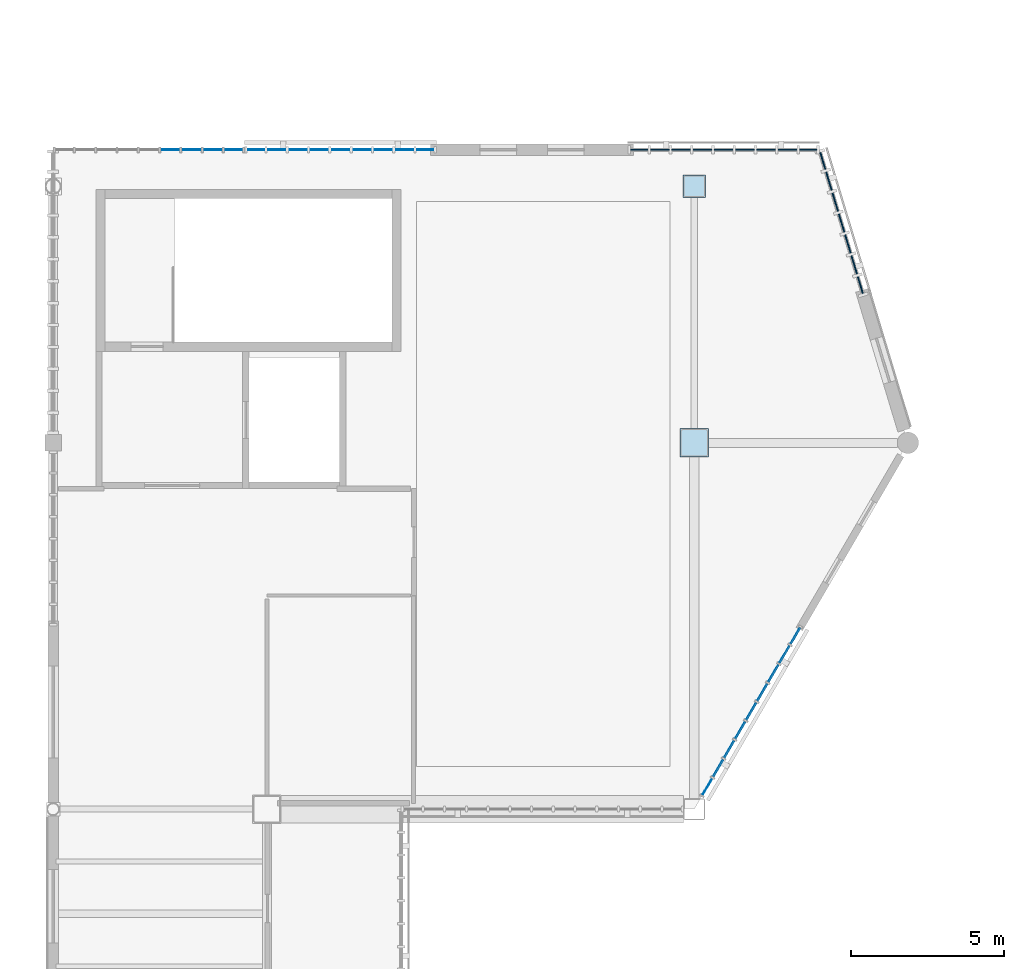
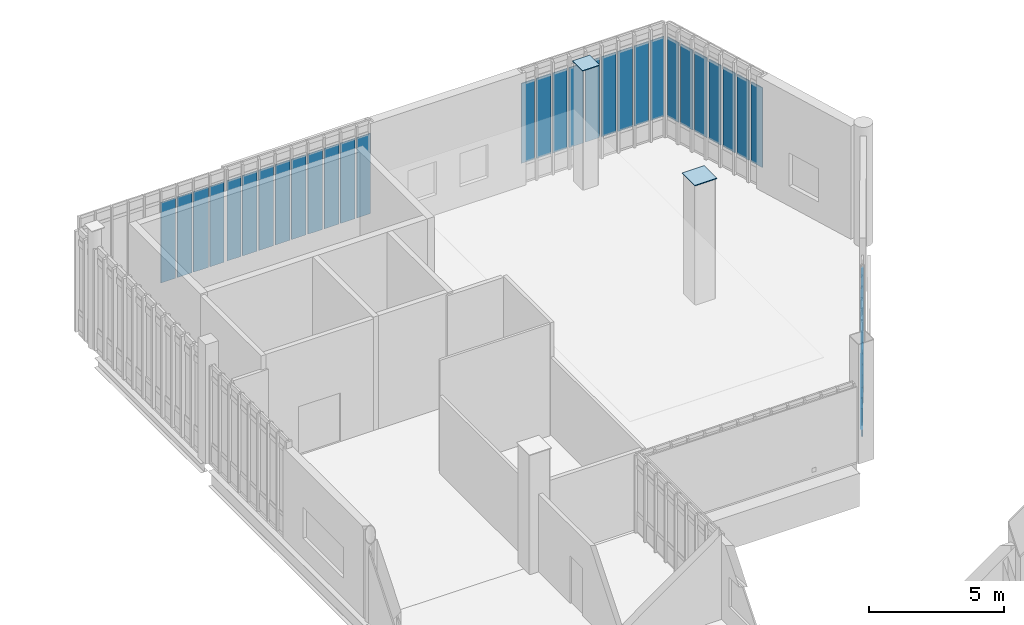
# One storey, part 89 of 135: 48 plates, 5 elements without a shape of their own.
"""IFC4 building model written with IfcOpenShell, lengths in metres."""

from ifc_helpers import new_model, si_unit, direction, frame, origin, origin_2d, place, context, subcontext, project, spatial, rectangle, extrude, material, layer, layer_set, type_object, element, aggregate, save


model = new_model("IFC4")

# Units and contexts
model_context = context("Model", 3, precision=1e-05, world=origin(), true_north=direction((0.0, 1.0)))
body_context = subcontext(model_context, "Body", "Model", "MODEL_VIEW")
ifc_project = project(units=[si_unit("LENGTHUNIT", "METRE"), si_unit("AREAUNIT", "SQUARE_METRE"), si_unit("VOLUMEUNIT", "CUBIC_METRE"), si_unit("PLANEANGLEUNIT", "RADIAN"), si_unit("MASSUNIT", "GRAM", prefix="KILO")], contexts=[model_context])

# Site, building, storey
site_placement = place(None, origin())
site = spatial("IfcSite", under=ifc_project, at=site_placement, CompositionType="ELEMENT")
building_placement = place(site_placement, origin())
building = spatial("IfcBuilding", under=site, at=building_placement, Name="Larkvane Passage Sports Hall", CompositionType="ELEMENT")
storey_placement = place(building_placement, frame((0.0, 0.0, 16.800048828125)))
storey = spatial("IfcBuildingStorey", under=building, at=storey_placement, Name="L03", CompositionType="ELEMENT", Elevation=16.800048828125)

# Curtain wall, plates
ifc_material_1 = material(Name="Thermally broken aluminium and low-E glazing", Category="aluminium")
curtain_wall_type_1 = type_object("IfcCurtainWallType", Name="CW-UNIT-COURT", PredefinedType="USERDEFINED", material=ifc_material_1)
curtain_wall_1_placement = place(storey_placement, origin())
curtain_wall_1 = element("IfcCurtainWall", 1, at=curtain_wall_1_placement, inside=storey, type_object=curtain_wall_type_1, Name="Curtain wall CW5-L03-108", ObjectType="UNITISED CURTAIN WALL", PredefinedType="USERDEFINED")
ifc_material_2 = material(Name="Insulated aluminium spandrel panel", Category="aluminium")
ifc_layer_1 = layer(ifc_material_2, 0.06494140625)
ifc_layer_set_1 = layer_set([ifc_layer_1], Name="Insulated aluminium spandrel panel")
plate_type_1 = type_object("IfcPlateType", Name="CWP-SPD-65", PredefinedType="CURTAIN_PANEL", material=ifc_layer_set_1)
plate_1_placement = place(storey_placement, frame((148.911376953125, 69.2763671875, 0.06005859375), z_axis=(0.0, 0.0, 1.0), x_axis=(-0.503867182467, -0.86378114267, 0.0)))
plate_1 = element("IfcPlate", 2, at=plate_1_placement, type_object=plate_type_1, Name="CW-01 panel 1.1", PredefinedType="CURTAIN_PANEL", context=body_context, shape_type="SweptSolid", body=[
    extrude(rectangle(XDim=0.629150390625, YDim=0.06494140625, at=origin_2d()), origin(), (0.0, 0.0, 1.0), 0.760009765625),
])
plate_2_placement = place(storey_placement, frame((148.556640625, 68.668212890625, 0.06005859375), z_axis=(0.0, 0.0, 1.0), x_axis=(-0.503867182467, -0.86378114267, 0.0)))
plate_2 = element("IfcPlate", 3, at=plate_2_placement, type_object=plate_type_1, Name="CW-01 panel 2.1", PredefinedType="CURTAIN_PANEL", context=body_context, shape_type="SweptSolid", body=[
    extrude(rectangle(XDim=0.6591796875, YDim=0.06494140625, at=origin_2d()), origin(), (0.0, 0.0, 1.0), 0.760009765625),
])
plate_3_placement = place(storey_placement, frame((148.1943359375, 68.047119140625, 0.06005859375), z_axis=(0.0, 0.0, 1.0), x_axis=(-0.503867182467, -0.86378114267, 0.0)))
plate_3 = element("IfcPlate", 4, at=plate_3_placement, type_object=plate_type_1, Name="CW-01 panel 3.1", PredefinedType="CURTAIN_PANEL", context=body_context, shape_type="SweptSolid", body=[
    extrude(rectangle(XDim=0.6591796875, YDim=0.06494140625, at=origin_2d()), origin(), (0.0, 0.0, 1.0), 0.760009765625),
])
plate_4_placement = place(storey_placement, frame((147.83203125, 67.426025390625, 0.06005859375), z_axis=(0.0, 0.0, 1.0), x_axis=(-0.503867182467, -0.86378114267, 0.0)))
plate_4 = element("IfcPlate", 5, at=plate_4_placement, type_object=plate_type_1, Name="CW-01 panel 4.1", PredefinedType="CURTAIN_PANEL", context=body_context, shape_type="SweptSolid", body=[
    extrude(rectangle(XDim=0.6591796875, YDim=0.06494140625, at=origin_2d()), origin(), (0.0, 0.0, 1.0), 0.760009765625),
])
plate_5_placement = place(storey_placement, frame((147.469482421875, 66.804931640625, 0.06005859375), z_axis=(0.0, 0.0, 1.0), x_axis=(-0.503867182467, -0.86378114267, 0.0)))
plate_5 = element("IfcPlate", 6, at=plate_5_placement, type_object=plate_type_1, Name="CW-01 panel 5.1", PredefinedType="CURTAIN_PANEL", context=body_context, shape_type="SweptSolid", body=[
    extrude(rectangle(XDim=0.6591796875, YDim=0.06494140625, at=origin_2d()), origin(), (0.0, 0.0, 1.0), 0.760009765625),
])
plate_6_placement = place(storey_placement, frame((147.107177734375, 66.183837890625, 0.06005859375), z_axis=(0.0, 0.0, 1.0), x_axis=(-0.503867182467, -0.86378114267, 0.0)))
plate_6 = element("IfcPlate", 7, at=plate_6_placement, type_object=plate_type_1, Name="CW-01 panel 6.1", PredefinedType="CURTAIN_PANEL", context=body_context, shape_type="SweptSolid", body=[
    extrude(rectangle(XDim=0.6591796875, YDim=0.06494140625, at=origin_2d()), origin(), (0.0, 0.0, 1.0), 0.760009765625),
])
plate_7_placement = place(storey_placement, frame((146.744873046875, 65.562744140625, 0.06005859375), z_axis=(0.0, 0.0, 1.0), x_axis=(-0.503867182467, -0.86378114267, 0.0)))
plate_7 = element("IfcPlate", 8, at=plate_7_placement, type_object=plate_type_1, Name="CW-01 panel 7.1", PredefinedType="CURTAIN_PANEL", context=body_context, shape_type="SweptSolid", body=[
    extrude(rectangle(XDim=0.6591796875, YDim=0.06494140625, at=origin_2d()), origin(), (0.0, 0.0, 1.0), 0.760009765625),
])
plate_8_placement = place(storey_placement, frame((146.382568359375, 64.941650390625, 0.06005859375), z_axis=(0.0, 0.0, 1.0), x_axis=(-0.503867182467, -0.86378114267, 0.0)))
plate_8 = element("IfcPlate", 9, at=plate_8_placement, type_object=plate_type_1, Name="CW-01 panel 8.1", PredefinedType="CURTAIN_PANEL", context=body_context, shape_type="SweptSolid", body=[
    extrude(rectangle(XDim=0.6591796875, YDim=0.06494140625, at=origin_2d()), origin(), (0.0, 0.0, 1.0), 0.760009765625),
])

curtain_wall_2_placement = place(storey_placement, origin())
curtain_wall_2 = element("IfcCurtainWall", 10, at=curtain_wall_2_placement, inside=storey, type_object=curtain_wall_type_1, Name="Curtain wall CW5-L03-104", ObjectType="UNITISED CURTAIN WALL", PredefinedType="USERDEFINED")
ifc_material_3 = material(Name="Solar-control low-E double glazing", Category="glass")
ifc_layer_2 = layer(ifc_material_3, 0.028076171875)
ifc_layer_set_2 = layer_set([ifc_layer_2], Name="Solar-control low-E double glazing")
plate_type_2 = type_object("IfcPlateType", Name="CWP-VIS-28", PredefinedType="CURTAIN_PANEL", material=ifc_layer_set_2)
plate_9_placement = place(storey_placement, frame((128.434814453125, 85.199951171875, 0.88232421875), z_axis=(0.0, 0.0, 1.0), x_axis=(1.0, 0.0, 0.0)))
plate_9 = element("IfcPlate", 11, at=plate_9_placement, type_object=plate_type_2, Name="CW-01 panel 6.2", PredefinedType="CURTAIN_PANEL", context=body_context, shape_type="SweptSolid", body=[
    extrude(rectangle(XDim=0.63232421875, YDim=0.028076171875, at=origin_2d()), origin(), (0.0, 0.0, 1.0), 3.635009765625),
])
plate_10_placement = place(storey_placement, frame((129.1318359375, 85.199951171875, 0.88232421875), z_axis=(0.0, 0.0, 1.0), x_axis=(1.0, 0.0, 0.0)))
plate_10 = element("IfcPlate", 12, at=plate_10_placement, type_object=plate_type_2, Name="CW-01 panel 7.2", PredefinedType="CURTAIN_PANEL", context=body_context, shape_type="SweptSolid", body=[
    extrude(rectangle(XDim=0.63232421875, YDim=0.028076171875, at=origin_2d()), origin(), (0.0, 0.0, 1.0), 3.635009765625),
])
plate_11_placement = place(storey_placement, frame((129.8291015625, 85.199951171875, 0.88232421875), z_axis=(0.0, 0.0, 1.0), x_axis=(1.0, 0.0, 0.0)))
plate_11 = element("IfcPlate", 13, at=plate_11_placement, type_object=plate_type_2, Name="CW-01 panel 8.2", PredefinedType="CURTAIN_PANEL", context=body_context, shape_type="SweptSolid", body=[
    extrude(rectangle(XDim=0.63232421875, YDim=0.028076171875, at=origin_2d()), origin(), (0.0, 0.0, 1.0), 3.635009765625),
])
plate_12_placement = place(storey_placement, frame((130.51025390625, 85.199951171875, 0.88232421875), z_axis=(0.0, 0.0, 1.0), x_axis=(1.0, 0.0, 0.0)))
plate_12 = element("IfcPlate", 14, at=plate_12_placement, type_object=plate_type_2, Name="CW-01 panel 9.2", PredefinedType="CURTAIN_PANEL", context=body_context, shape_type="SweptSolid", body=[
    extrude(rectangle(XDim=0.599609375, YDim=0.028076171875, at=origin_2d()), origin(), (0.0, 0.0, 1.0), 3.635009765625),
])
aggregate(curtain_wall_2, [plate_9, plate_10, plate_11, plate_12])

# Plate
plate_13_placement = place(storey_placement, frame((148.911376953125, 69.2763671875, 0.8798828125), z_axis=(0.0, 0.0, 1.0), x_axis=(-0.503867182467, -0.86378114267, 0.0)))
plate_13 = element("IfcPlate", 15, at=plate_13_placement, type_object=plate_type_2, Name="CW-01 panel 1.2", PredefinedType="CURTAIN_PANEL", context=body_context, shape_type="SweptSolid", body=[
    extrude(rectangle(XDim=0.629150390625, YDim=0.028076171875, at=origin_2d()), origin(), (0.0, 0.0, 1.0), 2.847900390625),
])

plate_14_placement = place(storey_placement, frame((148.556640625, 68.668212890625, 0.8798828125), z_axis=(0.0, 0.0, 1.0), x_axis=(-0.503867182467, -0.86378114267, 0.0)))
plate_14 = element("IfcPlate", 16, at=plate_14_placement, type_object=plate_type_2, Name="CW-01 panel 2.2", PredefinedType="CURTAIN_PANEL", context=body_context, shape_type="SweptSolid", body=[
    extrude(rectangle(XDim=0.6591796875, YDim=0.028076171875, at=origin_2d()), origin(), (0.0, 0.0, 1.0), 2.847900390625),
])

plate_15_placement = place(storey_placement, frame((148.1943359375, 68.047119140625, 0.8798828125), z_axis=(0.0, 0.0, 1.0), x_axis=(-0.503867182467, -0.86378114267, 0.0)))
plate_15 = element("IfcPlate", 17, at=plate_15_placement, type_object=plate_type_2, Name="CW-01 panel 3.2", PredefinedType="CURTAIN_PANEL", context=body_context, shape_type="SweptSolid", body=[
    extrude(rectangle(XDim=0.6591796875, YDim=0.028076171875, at=origin_2d()), origin(), (0.0, 0.0, 1.0), 2.847900390625),
])

plate_16_placement = place(storey_placement, frame((147.83203125, 67.426025390625, 0.8798828125), z_axis=(0.0, 0.0, 1.0), x_axis=(-0.503867182467, -0.86378114267, 0.0)))
plate_16 = element("IfcPlate", 18, at=plate_16_placement, type_object=plate_type_2, Name="CW-01 panel 4.2", PredefinedType="CURTAIN_PANEL", context=body_context, shape_type="SweptSolid", body=[
    extrude(rectangle(XDim=0.6591796875, YDim=0.028076171875, at=origin_2d()), origin(), (0.0, 0.0, 1.0), 2.847900390625),
])

plate_17_placement = place(storey_placement, frame((147.469482421875, 66.804931640625, 0.8798828125), z_axis=(0.0, 0.0, 1.0), x_axis=(-0.503867182467, -0.86378114267, 0.0)))
plate_17 = element("IfcPlate", 19, at=plate_17_placement, type_object=plate_type_2, Name="CW-01 panel 5.2", PredefinedType="CURTAIN_PANEL", context=body_context, shape_type="SweptSolid", body=[
    extrude(rectangle(XDim=0.6591796875, YDim=0.028076171875, at=origin_2d()), origin(), (0.0, 0.0, 1.0), 2.847900390625),
])

plate_18_placement = place(storey_placement, frame((147.107177734375, 66.183837890625, 0.8798828125), z_axis=(0.0, 0.0, 1.0), x_axis=(-0.503867182467, -0.86378114267, 0.0)))
plate_18 = element("IfcPlate", 20, at=plate_18_placement, type_object=plate_type_2, Name="CW-01 panel 6.2", PredefinedType="CURTAIN_PANEL", context=body_context, shape_type="SweptSolid", body=[
    extrude(rectangle(XDim=0.6591796875, YDim=0.028076171875, at=origin_2d()), origin(), (0.0, 0.0, 1.0), 2.847900390625),
])

plate_19_placement = place(storey_placement, frame((146.744873046875, 65.562744140625, 0.8798828125), z_axis=(0.0, 0.0, 1.0), x_axis=(-0.503867182467, -0.86378114267, 0.0)))
plate_19 = element("IfcPlate", 21, at=plate_19_placement, type_object=plate_type_2, Name="CW-01 panel 7.2", PredefinedType="CURTAIN_PANEL", context=body_context, shape_type="SweptSolid", body=[
    extrude(rectangle(XDim=0.6591796875, YDim=0.028076171875, at=origin_2d()), origin(), (0.0, 0.0, 1.0), 2.847900390625),
])

plate_20_placement = place(storey_placement, frame((146.382568359375, 64.941650390625, 0.8798828125), z_axis=(0.0, 0.0, 1.0), x_axis=(-0.503867182467, -0.86378114267, 0.0)))
plate_20 = element("IfcPlate", 22, at=plate_20_placement, type_object=plate_type_2, Name="CW-01 panel 8.2", PredefinedType="CURTAIN_PANEL", context=body_context, shape_type="SweptSolid", body=[
    extrude(rectangle(XDim=0.6591796875, YDim=0.028076171875, at=origin_2d()), origin(), (0.0, 0.0, 1.0), 2.847900390625),
])

plate_21_placement = place(storey_placement, frame((146.02783203125, 64.33349609375, 0.8798828125), z_axis=(0.0, 0.0, 1.0), x_axis=(-0.503867182467, -0.86378114267, 0.0)))
plate_21 = element("IfcPlate", 23, at=plate_21_placement, type_object=plate_type_2, Name="CW-01 panel 9.2", PredefinedType="CURTAIN_PANEL", context=body_context, shape_type="SweptSolid", body=[
    extrude(rectangle(XDim=0.629150390625, YDim=0.028076171875, at=origin_2d()), origin(), (0.0, 0.0, 1.0), 2.847900390625),
])

aggregate(curtain_wall_1, [plate_1, plate_13, plate_2, plate_14, plate_3, plate_15, plate_4, plate_16, plate_5, plate_17, plate_6, plate_18, plate_7, plate_19, plate_8, plate_20, plate_21])

# Curtain wall, plates
curtain_wall_type_2 = type_object("IfcCurtainWallType", Name="CW-UNIT-VEIL", PredefinedType="USERDEFINED", material=ifc_material_1)
curtain_wall_3_placement = place(storey_placement, origin())
curtain_wall_3 = element("IfcCurtainWall", 24, at=curtain_wall_3_placement, inside=storey, type_object=curtain_wall_type_2, Name="Curtain wall CW5-L03-105", ObjectType="UNITISED CURTAIN WALL", PredefinedType="USERDEFINED")
ifc_material_4 = material(Name="Laminated acoustic low-E glazing", Category="glass")
ifc_layer_3 = layer(ifc_material_4, 0.031982421875)
ifc_layer_set_3 = layer_set([ifc_layer_3], Name="Laminated acoustic low-E glazing")
plate_type_3 = type_object("IfcPlateType", Name="CWP-VIS-32", PredefinedType="CURTAIN_PANEL", material=ifc_layer_set_3)
plate_22_placement = place(storey_placement, frame((131.242431640625, 85.199951171875, 0.887451171875), z_axis=(0.0, 0.0, 1.0), x_axis=(1.0, 0.0, 0.0)))
plate_22 = element("IfcPlate", 25, at=plate_22_placement, type_object=plate_type_3, Name="CW-02 panel 1.2", PredefinedType="CURTAIN_PANEL", context=body_context, shape_type="SweptSolid", body=[
    extrude(rectangle(XDim=0.584716796875, YDim=0.031982421875, at=origin_2d()), origin(), (0.0, 0.0, 1.0), 3.625),
])
plate_23_placement = place(storey_placement, frame((131.9208984375, 85.199951171875, 0.887451171875), z_axis=(0.0, 0.0, 1.0), x_axis=(1.0, 0.0, 0.0)))
plate_23 = element("IfcPlate", 26, at=plate_23_placement, type_object=plate_type_3, Name="CW-02 panel 2.2", PredefinedType="CURTAIN_PANEL", context=body_context, shape_type="SweptSolid", body=[
    extrude(rectangle(XDim=0.622314453125, YDim=0.031982421875, at=origin_2d()), origin(), (0.0, 0.0, 1.0), 3.625),
])
plate_24_placement = place(storey_placement, frame((132.6181640625, 85.199951171875, 0.887451171875), z_axis=(0.0, 0.0, 1.0), x_axis=(1.0, 0.0, 0.0)))
plate_24 = element("IfcPlate", 27, at=plate_24_placement, type_object=plate_type_3, Name="CW-02 panel 3.2", PredefinedType="CURTAIN_PANEL", context=body_context, shape_type="SweptSolid", body=[
    extrude(rectangle(XDim=0.622314453125, YDim=0.031982421875, at=origin_2d()), origin(), (0.0, 0.0, 1.0), 3.625),
])
plate_25_placement = place(storey_placement, frame((133.315185546875, 85.199951171875, 0.887451171875), z_axis=(0.0, 0.0, 1.0), x_axis=(1.0, 0.0, 0.0)))
plate_25 = element("IfcPlate", 28, at=plate_25_placement, type_object=plate_type_3, Name="CW-02 panel 4.2", PredefinedType="CURTAIN_PANEL", context=body_context, shape_type="SweptSolid", body=[
    extrude(rectangle(XDim=0.622314453125, YDim=0.031982421875, at=origin_2d()), origin(), (0.0, 0.0, 1.0), 3.625),
])
plate_26_placement = place(storey_placement, frame((134.012451171875, 85.199951171875, 0.887451171875), z_axis=(0.0, 0.0, 1.0), x_axis=(1.0, 0.0, 0.0)))
plate_26 = element("IfcPlate", 29, at=plate_26_placement, type_object=plate_type_3, Name="CW-02 panel 5.2", PredefinedType="CURTAIN_PANEL", context=body_context, shape_type="SweptSolid", body=[
    extrude(rectangle(XDim=0.622314453125, YDim=0.031982421875, at=origin_2d()), origin(), (0.0, 0.0, 1.0), 3.625),
])
plate_27_placement = place(storey_placement, frame((134.709716796875, 85.199951171875, 0.887451171875), z_axis=(0.0, 0.0, 1.0), x_axis=(1.0, 0.0, 0.0)))
plate_27 = element("IfcPlate", 30, at=plate_27_placement, type_object=plate_type_3, Name="CW-02 panel 6.2", PredefinedType="CURTAIN_PANEL", context=body_context, shape_type="SweptSolid", body=[
    extrude(rectangle(XDim=0.622314453125, YDim=0.031982421875, at=origin_2d()), origin(), (0.0, 0.0, 1.0), 3.625),
])
plate_28_placement = place(storey_placement, frame((135.406982421875, 85.199951171875, 0.887451171875), z_axis=(0.0, 0.0, 1.0), x_axis=(1.0, 0.0, 0.0)))
plate_28 = element("IfcPlate", 31, at=plate_28_placement, type_object=plate_type_3, Name="CW-02 panel 7.2", PredefinedType="CURTAIN_PANEL", context=body_context, shape_type="SweptSolid", body=[
    extrude(rectangle(XDim=0.622314453125, YDim=0.031982421875, at=origin_2d()), origin(), (0.0, 0.0, 1.0), 3.625),
])
plate_29_placement = place(storey_placement, frame((136.104248046875, 85.199951171875, 0.887451171875), z_axis=(0.0, 0.0, 1.0), x_axis=(1.0, 0.0, 0.0)))
plate_29 = element("IfcPlate", 32, at=plate_29_placement, type_object=plate_type_3, Name="CW-02 panel 8.2", PredefinedType="CURTAIN_PANEL", context=body_context, shape_type="SweptSolid", body=[
    extrude(rectangle(XDim=0.622314453125, YDim=0.031982421875, at=origin_2d()), origin(), (0.0, 0.0, 1.0), 3.625),
])
plate_30_placement = place(storey_placement, frame((136.78271484375, 85.199951171875, 0.887451171875), z_axis=(0.0, 0.0, 1.0), x_axis=(1.0, 0.0, 0.0)))
plate_30 = element("IfcPlate", 33, at=plate_30_placement, type_object=plate_type_3, Name="CW-02 panel 9.2", PredefinedType="CURTAIN_PANEL", context=body_context, shape_type="SweptSolid", body=[
    extrude(rectangle(XDim=0.584716796875, YDim=0.031982421875, at=origin_2d()), origin(), (0.0, 0.0, 1.0), 3.625),
])
aggregate(curtain_wall_3, [plate_22, plate_23, plate_24, plate_25, plate_26, plate_27, plate_28, plate_29, plate_30])

curtain_wall_type_3 = type_object("IfcCurtainWallType", Name="CW-STICK-FOYER", PredefinedType="USERDEFINED", material=ifc_material_1)
curtain_wall_4_placement = place(storey_placement, origin())
curtain_wall_4 = element("IfcCurtainWall", 34, at=curtain_wall_4_placement, inside=storey, type_object=curtain_wall_type_3, Name="Curtain wall CW5-L03-106", ObjectType="STICK CURTAIN WALL", PredefinedType="USERDEFINED")
ifc_material_5 = material(Name="High-impact court low-E glazing", Category="glass")
ifc_layer_4 = layer(ifc_material_5, 0.035888671875)
ifc_layer_set_4 = layer_set([ifc_layer_4], Name="High-impact court low-E glazing")
plate_type_4 = type_object("IfcPlateType", Name="CWP-VIS-36", PredefinedType="CURTAIN_PANEL", material=ifc_layer_set_4)
plate_31_placement = place(storey_placement, frame((143.796142578125, 85.199951171875, 0.89501953125), z_axis=(0.0, 0.0, 1.0), x_axis=(1.0, 0.0, 0.0)))
plate_31 = element("IfcPlate", 35, at=plate_31_placement, type_object=plate_type_4, Name="CW-03 panel 1.2", PredefinedType="CURTAIN_PANEL", context=body_context, shape_type="SweptSolid", body=[
    extrude(rectangle(XDim=0.562255859375, YDim=0.035888671875, at=origin_2d()), origin(), (0.0, 0.0, 1.0), 3.610107421875),
])
plate_32_placement = place(storey_placement, frame((144.470947265625, 85.199951171875, 0.89501953125), z_axis=(0.0, 0.0, 1.0), x_axis=(1.0, 0.0, 0.0)))
plate_32 = element("IfcPlate", 36, at=plate_32_placement, type_object=plate_type_4, Name="CW-03 panel 2.2", PredefinedType="CURTAIN_PANEL", context=body_context, shape_type="SweptSolid", body=[
    extrude(rectangle(XDim=0.607177734375, YDim=0.035888671875, at=origin_2d()), origin(), (0.0, 0.0, 1.0), 3.610107421875),
])
plate_33_placement = place(storey_placement, frame((145.16796875, 85.199951171875, 0.89501953125), z_axis=(0.0, 0.0, 1.0), x_axis=(1.0, 0.0, 0.0)))
plate_33 = element("IfcPlate", 37, at=plate_33_placement, type_object=plate_type_4, Name="CW-03 panel 3.2", PredefinedType="CURTAIN_PANEL", context=body_context, shape_type="SweptSolid", body=[
    extrude(rectangle(XDim=0.607177734375, YDim=0.035888671875, at=origin_2d()), origin(), (0.0, 0.0, 1.0), 3.610107421875),
])
plate_34_placement = place(storey_placement, frame((145.865234375, 85.199951171875, 0.89501953125), z_axis=(0.0, 0.0, 1.0), x_axis=(1.0, 0.0, 0.0)))
plate_34 = element("IfcPlate", 38, at=plate_34_placement, type_object=plate_type_4, Name="CW-03 panel 4.2", PredefinedType="CURTAIN_PANEL", context=body_context, shape_type="SweptSolid", body=[
    extrude(rectangle(XDim=0.607177734375, YDim=0.035888671875, at=origin_2d()), origin(), (0.0, 0.0, 1.0), 3.610107421875),
])
plate_35_placement = place(storey_placement, frame((146.5625, 85.199951171875, 0.89501953125), z_axis=(0.0, 0.0, 1.0), x_axis=(1.0, 0.0, 0.0)))
plate_35 = element("IfcPlate", 39, at=plate_35_placement, type_object=plate_type_4, Name="CW-03 panel 5.2", PredefinedType="CURTAIN_PANEL", context=body_context, shape_type="SweptSolid", body=[
    extrude(rectangle(XDim=0.607177734375, YDim=0.035888671875, at=origin_2d()), origin(), (0.0, 0.0, 1.0), 3.610107421875),
])
plate_36_placement = place(storey_placement, frame((147.259765625, 85.199951171875, 0.89501953125), z_axis=(0.0, 0.0, 1.0), x_axis=(1.0, 0.0, 0.0)))
plate_36 = element("IfcPlate", 40, at=plate_36_placement, type_object=plate_type_4, Name="CW-03 panel 6.2", PredefinedType="CURTAIN_PANEL", context=body_context, shape_type="SweptSolid", body=[
    extrude(rectangle(XDim=0.607177734375, YDim=0.035888671875, at=origin_2d()), origin(), (0.0, 0.0, 1.0), 3.610107421875),
])
plate_37_placement = place(storey_placement, frame((147.95703125, 85.199951171875, 0.89501953125), z_axis=(0.0, 0.0, 1.0), x_axis=(1.0, 0.0, 0.0)))
plate_37 = element("IfcPlate", 41, at=plate_37_placement, type_object=plate_type_4, Name="CW-03 panel 7.2", PredefinedType="CURTAIN_PANEL", context=body_context, shape_type="SweptSolid", body=[
    extrude(rectangle(XDim=0.607177734375, YDim=0.035888671875, at=origin_2d()), origin(), (0.0, 0.0, 1.0), 3.610107421875),
])
plate_38_placement = place(storey_placement, frame((148.654052734375, 85.199951171875, 0.89501953125), z_axis=(0.0, 0.0, 1.0), x_axis=(1.0, 0.0, 0.0)))
plate_38 = element("IfcPlate", 42, at=plate_38_placement, type_object=plate_type_4, Name="CW-03 panel 8.2", PredefinedType="CURTAIN_PANEL", context=body_context, shape_type="SweptSolid", body=[
    extrude(rectangle(XDim=0.607177734375, YDim=0.035888671875, at=origin_2d()), origin(), (0.0, 0.0, 1.0), 3.610107421875),
])
plate_39_placement = place(storey_placement, frame((149.328857421875, 85.199951171875, 0.89501953125), z_axis=(0.0, 0.0, 1.0), x_axis=(1.0, 0.0, 0.0)))
plate_39 = element("IfcPlate", 43, at=plate_39_placement, type_object=plate_type_4, Name="CW-03 panel 9.2", PredefinedType="CURTAIN_PANEL", context=body_context, shape_type="SweptSolid", body=[
    extrude(rectangle(XDim=0.562255859375, YDim=0.035888671875, at=origin_2d()), origin(), (0.0, 0.0, 1.0), 3.610107421875),
])
aggregate(curtain_wall_4, [plate_31, plate_32, plate_33, plate_34, plate_35, plate_36, plate_37, plate_38, plate_39])

curtain_wall_type_4 = type_object("IfcCurtainWallType", Name="CW-CLINIC", PredefinedType="USERDEFINED", material=ifc_material_1)
curtain_wall_5_placement = place(storey_placement, origin())
curtain_wall_5 = element("IfcCurtainWall", 44, at=curtain_wall_5_placement, inside=storey, type_object=curtain_wall_type_4, Name="Curtain wall CW5-L03-107", ObjectType="UNITISED CURTAIN WALL", PredefinedType="USERDEFINED")
ifc_material_6 = material(Name="Triple-laminated typhoon glazing", Category="glass")
ifc_layer_5 = layer(ifc_material_6, 0.0419921875)
ifc_layer_set_5 = layer_set([ifc_layer_5], Name="Triple-laminated typhoon glazing")
plate_type_5 = type_object("IfcPlateType", Name="CWP-VIS-42", PredefinedType="CURTAIN_PANEL", material=ifc_layer_set_5)
plate_40_placement = place(storey_placement, frame((149.810791015625, 84.833251953125, 0.89990234375), z_axis=(0.0, 0.0, 1.0), x_axis=(0.289177016584, -0.957275641119, 0.0)))
plate_40 = element("IfcPlate", 45, at=plate_40_placement, type_object=plate_type_5, Name="CW-05 panel 1.2", PredefinedType="CURTAIN_PANEL", context=body_context, shape_type="SweptSolid", body=[
    extrude(rectangle(XDim=0.56640625, YDim=0.0419921875, at=origin_2d()), origin(), (0.0, 0.0, 1.0), 3.60009765625),
])
plate_41_placement = place(storey_placement, frame((150.0107421875, 84.17138671875, 0.89990234375), z_axis=(0.0, 0.0, 1.0), x_axis=(0.289177016584, -0.957275641119, 0.0)))
plate_41 = element("IfcPlate", 46, at=plate_41_placement, type_object=plate_type_5, Name="CW-05 panel 2.2", PredefinedType="CURTAIN_PANEL", context=body_context, shape_type="SweptSolid", body=[
    extrude(rectangle(XDim=0.6162109375, YDim=0.0419921875, at=origin_2d()), origin(), (0.0, 0.0, 1.0), 3.60009765625),
])
plate_42_placement = place(storey_placement, frame((150.2177734375, 83.485595703125, 0.89990234375), z_axis=(0.0, 0.0, 1.0), x_axis=(0.289177016584, -0.957275641119, 0.0)))
plate_42 = element("IfcPlate", 47, at=plate_42_placement, type_object=plate_type_5, Name="CW-05 panel 3.2", PredefinedType="CURTAIN_PANEL", context=body_context, shape_type="SweptSolid", body=[
    extrude(rectangle(XDim=0.6162109375, YDim=0.0419921875, at=origin_2d()), origin(), (0.0, 0.0, 1.0), 3.60009765625),
])
plate_43_placement = place(storey_placement, frame((150.425048828125, 82.800048828125, 0.89990234375), z_axis=(0.0, 0.0, 1.0), x_axis=(0.289177016584, -0.957275641119, 0.0)))
plate_43 = element("IfcPlate", 48, at=plate_43_placement, type_object=plate_type_5, Name="CW-05 panel 4.2", PredefinedType="CURTAIN_PANEL", context=body_context, shape_type="SweptSolid", body=[
    extrude(rectangle(XDim=0.6162109375, YDim=0.0419921875, at=origin_2d()), origin(), (0.0, 0.0, 1.0), 3.60009765625),
])
plate_44_placement = place(storey_placement, frame((150.632080078125, 82.1142578125, 0.89990234375), z_axis=(0.0, 0.0, 1.0), x_axis=(0.289177016584, -0.957275641119, 0.0)))
plate_44 = element("IfcPlate", 49, at=plate_44_placement, type_object=plate_type_5, Name="CW-05 panel 5.2", PredefinedType="CURTAIN_PANEL", context=body_context, shape_type="SweptSolid", body=[
    extrude(rectangle(XDim=0.6162109375, YDim=0.0419921875, at=origin_2d()), origin(), (0.0, 0.0, 1.0), 3.60009765625),
])
plate_45_placement = place(storey_placement, frame((150.83935546875, 81.428466796875, 0.89990234375), z_axis=(0.0, 0.0, 1.0), x_axis=(0.289177016584, -0.957275641119, 0.0)))
plate_45 = element("IfcPlate", 50, at=plate_45_placement, type_object=plate_type_5, Name="CW-05 panel 6.2", PredefinedType="CURTAIN_PANEL", context=body_context, shape_type="SweptSolid", body=[
    extrude(rectangle(XDim=0.6162109375, YDim=0.0419921875, at=origin_2d()), origin(), (0.0, 0.0, 1.0), 3.60009765625),
])
plate_46_placement = place(storey_placement, frame((151.039306640625, 80.766845703125, 0.89990234375), z_axis=(0.0, 0.0, 1.0), x_axis=(0.289177016584, -0.957275641119, 0.0)))
plate_46 = element("IfcPlate", 51, at=plate_46_placement, type_object=plate_type_5, Name="CW-05 panel 7.2", PredefinedType="CURTAIN_PANEL", context=body_context, shape_type="SweptSolid", body=[
    extrude(rectangle(XDim=0.56640625, YDim=0.0419921875, at=origin_2d()), origin(), (0.0, 0.0, 1.0), 3.60009765625),
])
aggregate(curtain_wall_5, [plate_40, plate_41, plate_42, plate_43, plate_44, plate_45, plate_46])

# Plates
ifc_material_7 = material(Name="Steel S460N", Category="steel")
ifc_layer_6 = layer(ifc_material_7, 0.028076171875)
ifc_layer_set_6 = layer_set([ifc_layer_6], Name="Steel S460N")
plate_type_6 = type_object("IfcPlateType", Name="PLT-CAP-28", PredefinedType="SHEET", material=ifc_layer_set_6)
plate_47_placement = place(storey_placement, frame((145.60009765625, 84.0, 5.39990234375), z_axis=(0.0, 0.0, 1.0), x_axis=(1.0, 0.0, 0.0)))
element("IfcPlate", 52, at=plate_47_placement, inside=storey, type_object=plate_type_6, Name="Hollow section sealed end cap plate 0040", PredefinedType="SHEET", context=body_context, shape_type="SweptSolid", body=[
    extrude(rectangle(XDim=0.739990234375, YDim=0.739990234375, at=origin_2d()), origin(), (0.0, 0.0, 1.0), 0.028076171875),
])
ifc_layer_7 = layer(ifc_material_7, 0.035888671875)
ifc_layer_set_7 = layer_set([ifc_layer_7], Name="Steel S460N")
plate_type_7 = type_object("IfcPlateType", Name="PLT-CAP-36", PredefinedType="SHEET", material=ifc_layer_set_7)
plate_48_placement = place(storey_placement, frame((145.60009765625, 75.60009765625, 5.39990234375), z_axis=(0.0, 0.0, 1.0), x_axis=(1.0, 0.0, 0.0)))
element("IfcPlate", 53, at=plate_48_placement, inside=storey, type_object=plate_type_7, Name="Hollow section sealed end cap plate 0039", PredefinedType="SHEET", context=body_context, shape_type="SweptSolid", body=[
    extrude(rectangle(XDim=0.93994140625, YDim=0.93994140625, at=origin_2d()), origin(), (0.0, 0.0, 1.0), 0.035888671875),
])

save(model, "model.ifc")
